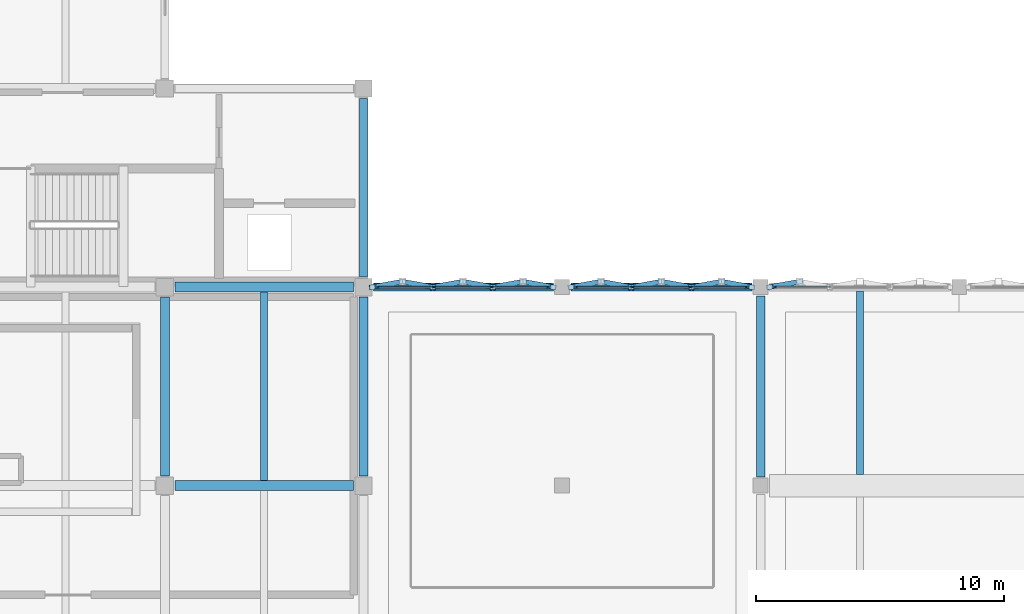
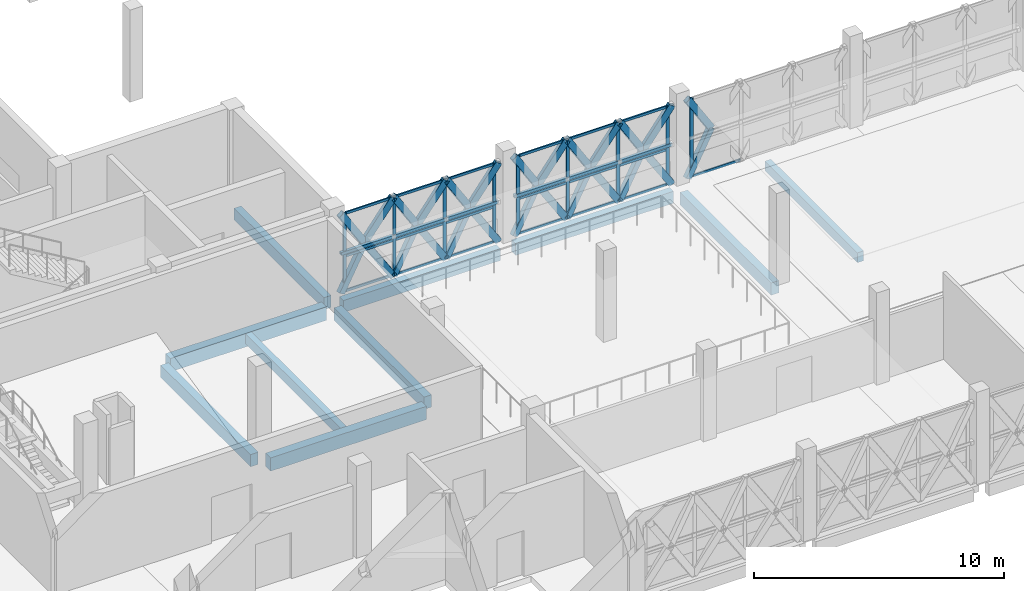
# One storey, part 12 of 43: 60 members, 10 beams, 3 elements without a shape of their own.
"""IFC4 building model written with IfcOpenShell, lengths in metres."""

from ifc_helpers import new_model, si_unit, direction, frame, origin, origin_2d, place, context, subcontext, project, spatial, rectangle, hollow_rectangle, extrude, material, layer, layer_set, material_profile, profile_set, type_object, element, aggregate, save


model = new_model("IFC4")

# Units and contexts
model_context = context("Model", 3, precision=1e-05, world=origin(), true_north=direction((0.0, 1.0)))
body_context = subcontext(model_context, "Body", "Model", "MODEL_VIEW")
ifc_project = project(units=[si_unit("LENGTHUNIT", "METRE"), si_unit("AREAUNIT", "SQUARE_METRE"), si_unit("VOLUMEUNIT", "CUBIC_METRE"), si_unit("PLANEANGLEUNIT", "RADIAN"), si_unit("MASSUNIT", "GRAM", prefix="KILO")], contexts=[model_context])

# Site, building, storey
site_placement = place(None, origin())
site = spatial("IfcSite", under=ifc_project, at=site_placement, CompositionType="ELEMENT")
building_placement = place(site_placement, origin())
building = spatial("IfcBuilding", under=site, at=building_placement, Name="Qorikala Patio Media Centre", CompositionType="ELEMENT")
storey_placement = place(building_placement, frame((0.0, 0.0, 18.89990234375)))
storey = spatial("IfcBuildingStorey", under=building, at=storey_placement, Name="L04", CompositionType="ELEMENT", Elevation=18.89990234375)

# Beams
ifc_material_1 = material(Name="Concrete C35/45", Category="concrete")
ifc_material_profile_1 = material_profile(ifc_material_1, rectangle(XDim=0.35009765625, YDim=0.60009765625, at=origin_2d()), Name="RC 350x600")
ifc_profile_set_1 = profile_set([ifc_material_profile_1], Name="Concrete C35/45")
beam_type_1 = type_object("IfcBeamType", Name="BM-G350X600", PredefinedType="BEAM", material=ifc_profile_set_1)
for number, where, z_axis, x_axis, name in (
    (1, (35.0, 19.39990234375, -0.599853515625), (0.0, 1.0, 0.0), (-1.0, 0.0, 0.0), "L04 Grid X=35 Beam 1418"),
    (2, (43.0, 19.39990234375, -0.599853515625), (0.0, 1.0, 0.0), (-1.0, 0.0, 0.0), "L04 Grid X=43 Beam 1426"),
):
    element("IfcBeam", number, at=place(storey_placement, frame(where, z_axis=z_axis, x_axis=x_axis)), inside=storey, type_object=beam_type_1, Name=name, PredefinedType="BEAM", context=body_context, shape_type="SweptSolid", body=[
        extrude(rectangle(XDim=0.35009765625, YDim=0.60009765625, at=origin_2d()), origin(), (0.0, 0.0, 1.0), 7.2001953125),
    ])
beam_1_placement = place(storey_placement, frame((59.0, 19.35009765625, -0.599853515625), z_axis=(0.0, 1.0, 0.0), x_axis=(-1.0, 0.0, 0.0)))
element("IfcBeam", 3, at=beam_1_placement, inside=storey, type_object=beam_type_1, Name="L04 Grid X=59 Beam 1431", PredefinedType="BEAM", context=body_context, shape_type="SweptSolid", body=[
    extrude(rectangle(XDim=0.35009765625, YDim=0.60009765625, at=origin_2d()), origin(), (0.0, 0.0, 1.0), 7.2998046875),
])
ifc_material_profile_2 = material_profile(ifc_material_1, rectangle(XDim=0.39990234375, YDim=0.64990234375, at=origin_2d()), Name="RC 400x650")
ifc_profile_set_2 = profile_set([ifc_material_profile_2], Name="Concrete C35/45")
beam_type_2 = type_object("IfcBeamType", Name="BM-G400X650", PredefinedType="BEAM", material=ifc_profile_set_2)
for number, where, z_axis, x_axis, name in (
    (4, (35.39990234375, 19.0, -0.625), (1.0, 0.0, 0.0), (0.0, 1.0, 0.0), "L04 Grid 19 Beam 1344"),
    (5, (35.39990234375, 27.0, -0.625), (1.0, 0.0, 0.0), (0.0, 1.0, 0.0), "L04 Grid 27 Beam 1353"),
):
    element("IfcBeam", number, at=place(storey_placement, frame(where, z_axis=z_axis, x_axis=x_axis)), inside=storey, type_object=beam_type_2, Name=name, PredefinedType="BEAM", context=body_context, shape_type="SweptSolid", body=[
        extrude(rectangle(XDim=0.39990234375, YDim=0.64990234375, at=origin_2d()), origin(), (0.0, 0.0, 1.0), 7.2001953125),
    ])

# Members
ifc_material_2 = material(Name="Golden Bronze Coated Steel S355", Category="steel")
ifc_material_profile_3 = material_profile(ifc_material_2, hollow_rectangle(XDim=0.139892578125, YDim=0.139892578125, WallThickness=0.006103515625, at=origin_2d()), Name="HSS140X140X6")
ifc_profile_set_3 = profile_set([ifc_material_profile_3], Name="Golden Bronze Coated Steel S355")
member_type_1 = type_object("IfcMemberType", Name="BRACE-DIA140", PredefinedType="BRACE", material=ifc_profile_set_3)
member_1_placement = place(storey_placement, frame((43.360107421875, 27.0, 1.925048828125), z_axis=(1.0, 0.0, 0.0), x_axis=(0.0, 1.0, 0.0)))
element("IfcMember", 6, at=member_1_placement, inside=storey, type_object=member_type_1, Name="L04 Diamond Fold Tie 142", PredefinedType="BRACE", context=body_context, shape_type="SweptSolid", body=[
    extrude(hollow_rectangle(XDim=0.139892578125, YDim=0.139892578125, WallThickness=0.006103515625, at=origin_2d()), origin(), (0.0, 0.0, 1.0), 2.426513671875),
])
member_2_placement = place(storey_placement, frame((45.78662109375, 27.0, 1.925048828125), z_axis=(1.0, 0.0, 0.0), x_axis=(0.0, 1.0, 0.0)))
element("IfcMember", 7, at=member_2_placement, inside=storey, type_object=member_type_1, Name="L04 Diamond Fold Tie 143", PredefinedType="BRACE", context=body_context, shape_type="SweptSolid", body=[
    extrude(hollow_rectangle(XDim=0.139892578125, YDim=0.139892578125, WallThickness=0.006103515625, at=origin_2d()), origin(), (0.0, 0.0, 1.0), 2.4267578125),
])
for number, where, z_axis, x_axis, name in (
    (8, (48.21337890625, 27.0, 1.925048828125), (1.0, 0.0, 0.0), (0.0, 1.0, 0.0), "L04 Diamond Fold Tie 144"),
    (9, (51.360107421875, 27.0, 1.925048828125), (1.0, 0.0, 0.0), (0.0, 1.0, 0.0), "L04 Diamond Fold Tie 145"),
):
    element("IfcMember", number, at=place(storey_placement, frame(where, z_axis=z_axis, x_axis=x_axis)), inside=storey, type_object=member_type_1, Name=name, PredefinedType="BRACE", context=body_context, shape_type="SweptSolid", body=[
        extrude(hollow_rectangle(XDim=0.139892578125, YDim=0.139892578125, WallThickness=0.006103515625, at=origin_2d()), origin(), (0.0, 0.0, 1.0), 2.426513671875),
    ])
member_3_placement = place(storey_placement, frame((53.78662109375, 27.0, 1.925048828125), z_axis=(1.0, 0.0, 0.0), x_axis=(0.0, 1.0, 0.0)))
element("IfcMember", 10, at=member_3_placement, inside=storey, type_object=member_type_1, Name="L04 Diamond Fold Tie 146", PredefinedType="BRACE", context=body_context, shape_type="SweptSolid", body=[
    extrude(hollow_rectangle(XDim=0.139892578125, YDim=0.139892578125, WallThickness=0.006103515625, at=origin_2d()), origin(), (0.0, 0.0, 1.0), 2.4267578125),
])
member_4_placement = place(storey_placement, frame((56.21337890625, 27.0, 1.925048828125), z_axis=(1.0, 0.0, 0.0), x_axis=(0.0, 1.0, 0.0)))
element("IfcMember", 11, at=member_4_placement, inside=storey, type_object=member_type_1, Name="L04 Diamond Fold Tie 147", PredefinedType="BRACE", context=body_context, shape_type="SweptSolid", body=[
    extrude(hollow_rectangle(XDim=0.139892578125, YDim=0.139892578125, WallThickness=0.006103515625, at=origin_2d()), origin(), (0.0, 0.0, 1.0), 2.426513671875),
])

# Curtain wall, members
ifc_material_3 = material(Name="Golden Bronze Anodised Aluminium and Low-E Glass", Category="aluminium")
ifc_layer = layer(ifc_material_3, 0.159912109375)
ifc_layer_set = layer_set([ifc_layer], Name="Golden Bronze Anodised Aluminium and Low-E Glass")
curtain_wall_type = type_object("IfcCurtainWallType", Name="CW-DIA-696X385", PredefinedType="USERDEFINED", material=ifc_layer_set)
curtain_wall_1_placement = place(storey_placement, origin())
curtain_wall_1 = element("IfcCurtainWall", 12, at=curtain_wall_1_placement, inside=storey, type_object=curtain_wall_type, Name="L04 Courtyard Curtain Wall 089", ObjectType="COURTYARD CURTAIN WALL", PredefinedType="USERDEFINED")
ifc_material_4 = material(Name="Golden Bronze Anodised Aluminium", Category="aluminium")
ifc_material_profile_4 = material_profile(ifc_material_4, rectangle(XDim=0.06494140625, YDim=0.14990234375, at=origin_2d()), Name="ALU MULLION 65x150")
ifc_profile_set_4 = profile_set([ifc_material_profile_4], Name="Golden Bronze Anodised Aluminium")
member_type_2 = type_object("IfcMemberType", Name="CWM-65X150", PredefinedType="MULLION", material=ifc_profile_set_4)
member_5_placement = place(storey_placement, frame((43.552490234375, 27.0, 0.0), z_axis=(0.0, 0.0, 1.0), x_axis=(0.0, 1.0, 0.0)))
member_5 = element("IfcMember", 13, at=member_5_placement, type_object=member_type_2, Name="CWD696385 mullion 1", PredefinedType="MULLION", context=body_context, shape_type="SweptSolid", body=[
    extrude(rectangle(XDim=0.06494140625, YDim=0.14990234375, at=origin_2d()), origin(), (0.0, 0.0, 1.0), 3.85009765625),
])
member_6_placement = place(storey_placement, frame((45.840087890625, 27.0, 0.0), z_axis=(0.0, 0.0, 1.0), x_axis=(0.0, 1.0, 0.0)))
member_6 = element("IfcMember", 14, at=member_6_placement, type_object=member_type_2, Name="CWD696385 mullion 2", PredefinedType="MULLION", context=body_context, shape_type="SweptSolid", body=[
    extrude(rectangle(XDim=0.06494140625, YDim=0.14990234375, at=origin_2d()), origin(), (0.0, 0.0, 1.0), 3.85009765625),
])
member_7_placement = place(storey_placement, frame((48.159912109375, 27.0, 0.0), z_axis=(0.0, 0.0, 1.0), x_axis=(0.0, 1.0, 0.0)))
member_7 = element("IfcMember", 15, at=member_7_placement, type_object=member_type_2, Name="CWD696385 mullion 3", PredefinedType="MULLION", context=body_context, shape_type="SweptSolid", body=[
    extrude(rectangle(XDim=0.06494140625, YDim=0.14990234375, at=origin_2d()), origin(), (0.0, 0.0, 1.0), 3.85009765625),
])
member_8_placement = place(storey_placement, frame((50.447509765625, 27.0, 0.0), z_axis=(0.0, 0.0, 1.0), x_axis=(0.0, 1.0, 0.0)))
member_8 = element("IfcMember", 16, at=member_8_placement, type_object=member_type_2, Name="CWD696385 mullion 4", PredefinedType="MULLION", context=body_context, shape_type="SweptSolid", body=[
    extrude(rectangle(XDim=0.06494140625, YDim=0.14990234375, at=origin_2d()), origin(), (0.0, 0.0, 1.0), 3.85009765625),
])

curtain_wall_2_placement = place(storey_placement, origin())
curtain_wall_2 = element("IfcCurtainWall", 17, at=curtain_wall_2_placement, inside=storey, type_object=curtain_wall_type, Name="L04 Courtyard Curtain Wall 090", ObjectType="COURTYARD CURTAIN WALL", PredefinedType="USERDEFINED")
member_9_placement = place(storey_placement, frame((51.552490234375, 27.0, 0.0), z_axis=(0.0, 0.0, 1.0), x_axis=(0.0, 1.0, 0.0)))
member_9 = element("IfcMember", 18, at=member_9_placement, type_object=member_type_2, Name="CWD696385 mullion 1", PredefinedType="MULLION", context=body_context, shape_type="SweptSolid", body=[
    extrude(rectangle(XDim=0.06494140625, YDim=0.14990234375, at=origin_2d()), origin(), (0.0, 0.0, 1.0), 3.85009765625),
])
member_10_placement = place(storey_placement, frame((53.840087890625, 27.0, 0.0), z_axis=(0.0, 0.0, 1.0), x_axis=(0.0, 1.0, 0.0)))
member_10 = element("IfcMember", 19, at=member_10_placement, type_object=member_type_2, Name="CWD696385 mullion 2", PredefinedType="MULLION", context=body_context, shape_type="SweptSolid", body=[
    extrude(rectangle(XDim=0.06494140625, YDim=0.14990234375, at=origin_2d()), origin(), (0.0, 0.0, 1.0), 3.85009765625),
])
member_11_placement = place(storey_placement, frame((56.159912109375, 27.0, 0.0), z_axis=(0.0, 0.0, 1.0), x_axis=(0.0, 1.0, 0.0)))
member_11 = element("IfcMember", 20, at=member_11_placement, type_object=member_type_2, Name="CWD696385 mullion 3", PredefinedType="MULLION", context=body_context, shape_type="SweptSolid", body=[
    extrude(rectangle(XDim=0.06494140625, YDim=0.14990234375, at=origin_2d()), origin(), (0.0, 0.0, 1.0), 3.85009765625),
])
member_12_placement = place(storey_placement, frame((58.447509765625, 27.0, 0.0), z_axis=(0.0, 0.0, 1.0), x_axis=(0.0, 1.0, 0.0)))
member_12 = element("IfcMember", 21, at=member_12_placement, type_object=member_type_2, Name="CWD696385 mullion 4", PredefinedType="MULLION", context=body_context, shape_type="SweptSolid", body=[
    extrude(rectangle(XDim=0.06494140625, YDim=0.14990234375, at=origin_2d()), origin(), (0.0, 0.0, 1.0), 3.85009765625),
])

# Curtain wall, member
curtain_wall_3_placement = place(storey_placement, origin())
curtain_wall_3 = element("IfcCurtainWall", 22, at=curtain_wall_3_placement, inside=storey, type_object=curtain_wall_type, Name="L04 Courtyard Curtain Wall 091", ObjectType="COURTYARD CURTAIN WALL", PredefinedType="USERDEFINED")
member_13_placement = place(storey_placement, frame((59.552490234375, 27.0, 0.0), z_axis=(0.0, 0.0, 1.0), x_axis=(0.0, 1.0, 0.0)))
member_13 = element("IfcMember", 23, at=member_13_placement, type_object=member_type_2, Name="CWD696385 mullion 1", PredefinedType="MULLION", context=body_context, shape_type="SweptSolid", body=[
    extrude(rectangle(XDim=0.06494140625, YDim=0.14990234375, at=origin_2d()), origin(), (0.0, 0.0, 1.0), 3.85009765625),
])

# Member
ifc_material_profile_5 = material_profile(ifc_material_4, rectangle(XDim=0.06494140625, YDim=0.1201171875, at=origin_2d()), Name="ALU TRANSOM 65x120")
ifc_profile_set_5 = profile_set([ifc_material_profile_5], Name="Golden Bronze Anodised Aluminium")
member_type_3 = type_object("IfcMemberType", Name="CWT-65X120", PredefinedType="USERDEFINED", material=ifc_profile_set_5)
member_14_placement = place(storey_placement, frame((43.5849609375, 27.0, 0.03271484375), z_axis=(1.0, 0.0, 0.0), x_axis=(0.0, 1.0, 0.0)))
member_14 = element("IfcMember", 24, at=member_14_placement, type_object=member_type_3, Name="CWD696385 transom 1.1", ObjectType="TRANSOM", PredefinedType="USERDEFINED", context=body_context, shape_type="SweptSolid", body=[
    extrude(rectangle(XDim=0.06494140625, YDim=0.1201171875, at=origin_2d()), origin(), (0.0, 0.0, 1.0), 2.22265625),
])

member_15_placement = place(storey_placement, frame((43.5849609375, 27.0, 1.732666015625), z_axis=(1.0, 0.0, 0.0), x_axis=(0.0, 1.0, 0.0)))
member_15 = element("IfcMember", 25, at=member_15_placement, type_object=member_type_3, Name="CWD696385 transom 1.2", ObjectType="TRANSOM", PredefinedType="USERDEFINED", context=body_context, shape_type="SweptSolid", body=[
    extrude(rectangle(XDim=0.06494140625, YDim=0.1201171875, at=origin_2d()), origin(), (0.0, 0.0, 1.0), 2.22265625),
])

member_16_placement = place(storey_placement, frame((43.5849609375, 27.0, 3.817626953125), z_axis=(1.0, 0.0, 0.0), x_axis=(0.0, 1.0, 0.0)))
member_16 = element("IfcMember", 26, at=member_16_placement, type_object=member_type_3, Name="CWD696385 transom 1.3", ObjectType="TRANSOM", PredefinedType="USERDEFINED", context=body_context, shape_type="SweptSolid", body=[
    extrude(rectangle(XDim=0.06494140625, YDim=0.1201171875, at=origin_2d()), origin(), (0.0, 0.0, 1.0), 2.22265625),
])

member_17_placement = place(storey_placement, frame((45.87255859375, 27.0, 0.03271484375), z_axis=(1.0, 0.0, 0.0), x_axis=(0.0, 1.0, 0.0)))
member_17 = element("IfcMember", 27, at=member_17_placement, type_object=member_type_3, Name="CWD696385 transom 2.1", ObjectType="TRANSOM", PredefinedType="USERDEFINED", context=body_context, shape_type="SweptSolid", body=[
    extrude(rectangle(XDim=0.06494140625, YDim=0.1201171875, at=origin_2d()), origin(), (0.0, 0.0, 1.0), 2.2548828125),
])

member_18_placement = place(storey_placement, frame((45.87255859375, 27.0, 1.732666015625), z_axis=(1.0, 0.0, 0.0), x_axis=(0.0, 1.0, 0.0)))
member_18 = element("IfcMember", 28, at=member_18_placement, type_object=member_type_3, Name="CWD696385 transom 2.2", ObjectType="TRANSOM", PredefinedType="USERDEFINED", context=body_context, shape_type="SweptSolid", body=[
    extrude(rectangle(XDim=0.06494140625, YDim=0.1201171875, at=origin_2d()), origin(), (0.0, 0.0, 1.0), 2.2548828125),
])

member_19_placement = place(storey_placement, frame((45.87255859375, 27.0, 3.817626953125), z_axis=(1.0, 0.0, 0.0), x_axis=(0.0, 1.0, 0.0)))
member_19 = element("IfcMember", 29, at=member_19_placement, type_object=member_type_3, Name="CWD696385 transom 2.3", ObjectType="TRANSOM", PredefinedType="USERDEFINED", context=body_context, shape_type="SweptSolid", body=[
    extrude(rectangle(XDim=0.06494140625, YDim=0.1201171875, at=origin_2d()), origin(), (0.0, 0.0, 1.0), 2.2548828125),
])

member_20_placement = place(storey_placement, frame((48.1923828125, 27.0, 0.03271484375), z_axis=(1.0, 0.0, 0.0), x_axis=(0.0, 1.0, 0.0)))
member_20 = element("IfcMember", 30, at=member_20_placement, type_object=member_type_3, Name="CWD696385 transom 3.1", ObjectType="TRANSOM", PredefinedType="USERDEFINED", context=body_context, shape_type="SweptSolid", body=[
    extrude(rectangle(XDim=0.06494140625, YDim=0.1201171875, at=origin_2d()), origin(), (0.0, 0.0, 1.0), 2.22265625),
])

member_21_placement = place(storey_placement, frame((48.1923828125, 27.0, 1.732666015625), z_axis=(1.0, 0.0, 0.0), x_axis=(0.0, 1.0, 0.0)))
member_21 = element("IfcMember", 31, at=member_21_placement, type_object=member_type_3, Name="CWD696385 transom 3.2", ObjectType="TRANSOM", PredefinedType="USERDEFINED", context=body_context, shape_type="SweptSolid", body=[
    extrude(rectangle(XDim=0.06494140625, YDim=0.1201171875, at=origin_2d()), origin(), (0.0, 0.0, 1.0), 2.22265625),
])

member_22_placement = place(storey_placement, frame((48.1923828125, 27.0, 3.817626953125), z_axis=(1.0, 0.0, 0.0), x_axis=(0.0, 1.0, 0.0)))
member_22 = element("IfcMember", 32, at=member_22_placement, type_object=member_type_3, Name="CWD696385 transom 3.3", ObjectType="TRANSOM", PredefinedType="USERDEFINED", context=body_context, shape_type="SweptSolid", body=[
    extrude(rectangle(XDim=0.06494140625, YDim=0.1201171875, at=origin_2d()), origin(), (0.0, 0.0, 1.0), 2.22265625),
])

aggregate(curtain_wall_1, [member_5, member_6, member_7, member_8, member_14, member_15, member_16, member_17, member_18, member_19, member_20, member_21, member_22])

member_23_placement = place(storey_placement, frame((51.5849609375, 27.0, 0.03271484375), z_axis=(1.0, 0.0, 0.0), x_axis=(0.0, 1.0, 0.0)))
member_23 = element("IfcMember", 33, at=member_23_placement, type_object=member_type_3, Name="CWD696385 transom 1.1", ObjectType="TRANSOM", PredefinedType="USERDEFINED", context=body_context, shape_type="SweptSolid", body=[
    extrude(rectangle(XDim=0.06494140625, YDim=0.1201171875, at=origin_2d()), origin(), (0.0, 0.0, 1.0), 2.22265625),
])

member_24_placement = place(storey_placement, frame((51.5849609375, 27.0, 1.732666015625), z_axis=(1.0, 0.0, 0.0), x_axis=(0.0, 1.0, 0.0)))
member_24 = element("IfcMember", 34, at=member_24_placement, type_object=member_type_3, Name="CWD696385 transom 1.2", ObjectType="TRANSOM", PredefinedType="USERDEFINED", context=body_context, shape_type="SweptSolid", body=[
    extrude(rectangle(XDim=0.06494140625, YDim=0.1201171875, at=origin_2d()), origin(), (0.0, 0.0, 1.0), 2.22265625),
])

member_25_placement = place(storey_placement, frame((51.5849609375, 27.0, 3.817626953125), z_axis=(1.0, 0.0, 0.0), x_axis=(0.0, 1.0, 0.0)))
member_25 = element("IfcMember", 35, at=member_25_placement, type_object=member_type_3, Name="CWD696385 transom 1.3", ObjectType="TRANSOM", PredefinedType="USERDEFINED", context=body_context, shape_type="SweptSolid", body=[
    extrude(rectangle(XDim=0.06494140625, YDim=0.1201171875, at=origin_2d()), origin(), (0.0, 0.0, 1.0), 2.22265625),
])

member_26_placement = place(storey_placement, frame((53.87255859375, 27.0, 0.03271484375), z_axis=(1.0, 0.0, 0.0), x_axis=(0.0, 1.0, 0.0)))
member_26 = element("IfcMember", 36, at=member_26_placement, type_object=member_type_3, Name="CWD696385 transom 2.1", ObjectType="TRANSOM", PredefinedType="USERDEFINED", context=body_context, shape_type="SweptSolid", body=[
    extrude(rectangle(XDim=0.06494140625, YDim=0.1201171875, at=origin_2d()), origin(), (0.0, 0.0, 1.0), 2.2548828125),
])

member_27_placement = place(storey_placement, frame((53.87255859375, 27.0, 1.732666015625), z_axis=(1.0, 0.0, 0.0), x_axis=(0.0, 1.0, 0.0)))
member_27 = element("IfcMember", 37, at=member_27_placement, type_object=member_type_3, Name="CWD696385 transom 2.2", ObjectType="TRANSOM", PredefinedType="USERDEFINED", context=body_context, shape_type="SweptSolid", body=[
    extrude(rectangle(XDim=0.06494140625, YDim=0.1201171875, at=origin_2d()), origin(), (0.0, 0.0, 1.0), 2.2548828125),
])

member_28_placement = place(storey_placement, frame((53.87255859375, 27.0, 3.817626953125), z_axis=(1.0, 0.0, 0.0), x_axis=(0.0, 1.0, 0.0)))
member_28 = element("IfcMember", 38, at=member_28_placement, type_object=member_type_3, Name="CWD696385 transom 2.3", ObjectType="TRANSOM", PredefinedType="USERDEFINED", context=body_context, shape_type="SweptSolid", body=[
    extrude(rectangle(XDim=0.06494140625, YDim=0.1201171875, at=origin_2d()), origin(), (0.0, 0.0, 1.0), 2.2548828125),
])

member_29_placement = place(storey_placement, frame((56.1923828125, 27.0, 0.03271484375), z_axis=(1.0, 0.0, 0.0), x_axis=(0.0, 1.0, 0.0)))
member_29 = element("IfcMember", 39, at=member_29_placement, type_object=member_type_3, Name="CWD696385 transom 3.1", ObjectType="TRANSOM", PredefinedType="USERDEFINED", context=body_context, shape_type="SweptSolid", body=[
    extrude(rectangle(XDim=0.06494140625, YDim=0.1201171875, at=origin_2d()), origin(), (0.0, 0.0, 1.0), 2.22265625),
])

member_30_placement = place(storey_placement, frame((56.1923828125, 27.0, 1.732666015625), z_axis=(1.0, 0.0, 0.0), x_axis=(0.0, 1.0, 0.0)))
member_30 = element("IfcMember", 40, at=member_30_placement, type_object=member_type_3, Name="CWD696385 transom 3.2", ObjectType="TRANSOM", PredefinedType="USERDEFINED", context=body_context, shape_type="SweptSolid", body=[
    extrude(rectangle(XDim=0.06494140625, YDim=0.1201171875, at=origin_2d()), origin(), (0.0, 0.0, 1.0), 2.22265625),
])

member_31_placement = place(storey_placement, frame((56.1923828125, 27.0, 3.817626953125), z_axis=(1.0, 0.0, 0.0), x_axis=(0.0, 1.0, 0.0)))
member_31 = element("IfcMember", 41, at=member_31_placement, type_object=member_type_3, Name="CWD696385 transom 3.3", ObjectType="TRANSOM", PredefinedType="USERDEFINED", context=body_context, shape_type="SweptSolid", body=[
    extrude(rectangle(XDim=0.06494140625, YDim=0.1201171875, at=origin_2d()), origin(), (0.0, 0.0, 1.0), 2.22265625),
])

aggregate(curtain_wall_2, [member_9, member_10, member_11, member_12, member_23, member_24, member_25, member_26, member_27, member_28, member_29, member_30, member_31])

member_32_placement = place(storey_placement, frame((59.5849609375, 27.0, 0.03271484375), z_axis=(1.0, 0.0, 0.0), x_axis=(0.0, 1.0, 0.0)))
member_32 = element("IfcMember", 42, at=member_32_placement, type_object=member_type_3, Name="CWD696385 transom 1.1", ObjectType="TRANSOM", PredefinedType="USERDEFINED", context=body_context, shape_type="SweptSolid", body=[
    extrude(rectangle(XDim=0.06494140625, YDim=0.1201171875, at=origin_2d()), origin(), (0.0, 0.0, 1.0), 2.22265625),
])

aggregate(curtain_wall_3, [member_13, member_32])

# Beams
ifc_material_profile_6 = material_profile(ifc_material_1, rectangle(XDim=0.280029296875, YDim=0.47998046875, at=origin_2d()), Name="RC 280x480")
ifc_profile_set_6 = profile_set([ifc_material_profile_6], Name="Concrete C35/45")
beam_type_3 = type_object("IfcBeamType", Name="JS-280X480", PredefinedType="JOIST", material=ifc_profile_set_6)
beam_2_placement = place(storey_placement, frame((39.0, 19.199951171875, -0.539794921875), z_axis=(0.0, 1.0, 0.0), x_axis=(-1.0, 0.0, 0.0)))
element("IfcBeam", 43, at=beam_2_placement, inside=storey, type_object=beam_type_3, Name="L04 Secondary Joist 1470", PredefinedType="JOIST", context=body_context, shape_type="SweptSolid", body=[
    extrude(rectangle(XDim=0.280029296875, YDim=0.47998046875, at=origin_2d()), origin(), (0.0, 0.0, 1.0), 7.60009765625),
])
beam_3_placement = place(storey_placement, frame((63.0, 19.449951171875, -0.539794921875), z_axis=(0.0, 1.0, 0.0), x_axis=(-1.0, 0.0, 0.0)))
element("IfcBeam", 44, at=beam_3_placement, inside=storey, type_object=beam_type_3, Name="L04 Secondary Joist 1475", PredefinedType="JOIST", context=body_context, shape_type="SweptSolid", body=[
    extrude(rectangle(XDim=0.280029296875, YDim=0.47998046875, at=origin_2d()), origin(), (0.0, 0.0, 1.0), 7.39013671875),
])
ifc_material_profile_7 = material_profile(ifc_material_1, rectangle(XDim=0.320068359375, YDim=0.580078125, at=origin_2d()), Name="RC 320x580")
ifc_profile_set_7 = profile_set([ifc_material_profile_7], Name="Concrete C35/45")
beam_type_4 = type_object("IfcBeamType", Name="SP-320X580", PredefinedType="SPANDREL", material=ifc_profile_set_7)
beam_4_placement = place(storey_placement, frame((43.39990234375, 27.0, -0.58984375), z_axis=(1.0, 0.0, 0.0), x_axis=(0.0, 1.0, 0.0)))
element("IfcBeam", 45, at=beam_4_placement, inside=storey, type_object=beam_type_4, Name="L04 Grid 27 Beam 1354", PredefinedType="SPANDREL", context=body_context, shape_type="SweptSolid", body=[
    extrude(rectangle(XDim=0.320068359375, YDim=0.580078125, at=origin_2d()), origin(), (0.0, 0.0, 1.0), 7.25),
])
beam_5_placement = place(storey_placement, frame((51.35009765625, 27.0, -0.58984375), z_axis=(1.0, 0.0, 0.0), x_axis=(0.0, 1.0, 0.0)))
element("IfcBeam", 46, at=beam_5_placement, inside=storey, type_object=beam_type_4, Name="L04 Grid 27 Beam 1355", PredefinedType="SPANDREL", context=body_context, shape_type="SweptSolid", body=[
    extrude(rectangle(XDim=0.320068359375, YDim=0.580078125, at=origin_2d()), origin(), (0.0, 0.0, 1.0), 7.2998046875),
])
beam_6_placement = place(storey_placement, frame((43.0, 27.39990234375, -0.58984375), z_axis=(0.0, 1.0, 0.0), x_axis=(-1.0, 0.0, 0.0)))
element("IfcBeam", 47, at=beam_6_placement, inside=storey, type_object=beam_type_4, Name="L04 Grid X=43 Beam 1427", PredefinedType="SPANDREL", context=body_context, shape_type="SweptSolid", body=[
    extrude(rectangle(XDim=0.320068359375, YDim=0.580078125, at=origin_2d()), origin(), (0.0, 0.0, 1.0), 7.2001953125),
])

# Members
ifc_material_profile_8 = material_profile(ifc_material_2, hollow_rectangle(XDim=0.199951171875, YDim=0.300048828125, WallThickness=0.011962890625, at=origin_2d()), Name="HSS300X200X12")
ifc_profile_set_8 = profile_set([ifc_material_profile_8], Name="Golden Bronze Coated Steel S355")
member_type_4 = type_object("IfcMemberType", Name="STRUT-DIA300", PredefinedType="STRUT", material=ifc_profile_set_8)
member_33_placement = place(storey_placement, frame((43.360107421875, 27.0, 0.0), z_axis=(0.530691378365, 0.095906793675, 0.842121456713), x_axis=(-0.17783968734, 0.984059472596, 0.0)))
element("IfcMember", 48, at=member_33_placement, inside=storey, type_object=member_type_4, Name="L04 Diamond Foyer Fold Strut 142-DL1", PredefinedType="STRUT", context=body_context, shape_type="SweptSolid", body=[
    extrude(hollow_rectangle(XDim=0.199951171875, YDim=0.300048828125, WallThickness=0.011962890625, at=origin_2d()), origin(), (0.0, 0.0, 1.0), 2.285888671875),
])
member_34_placement = place(storey_placement, frame((45.78662109375, 27.0, 0.0), z_axis=(-0.530768093717, 0.095901357778, 0.842073726148), x_axis=(-0.177805036072, -0.98406573416, 0.0)))
element("IfcMember", 49, at=member_34_placement, inside=storey, type_object=member_type_4, Name="L04 Diamond Foyer Fold Strut 142-DL2", PredefinedType="STRUT", context=body_context, shape_type="SweptSolid", body=[
    extrude(hollow_rectangle(XDim=0.199951171875, YDim=0.300048828125, WallThickness=0.011962890625, at=origin_2d()), origin(), (0.0, 0.0, 1.0), 2.2861328125),
])
member_35_placement = place(storey_placement, frame((44.5732421875, 27.21923828125, 1.925048828125), z_axis=(-0.530691378365, -0.095906793675, 0.842121456713), x_axis=(0.17783968734, -0.984059472596, 0.0)))
element("IfcMember", 50, at=member_35_placement, inside=storey, type_object=member_type_4, Name="L04 Diamond Foyer Fold Strut 142-DU1", PredefinedType="STRUT", context=body_context, shape_type="SweptSolid", body=[
    extrude(hollow_rectangle(XDim=0.199951171875, YDim=0.300048828125, WallThickness=0.011962890625, at=origin_2d()), origin(), (0.0, 0.0, 1.0), 2.285888671875),
])
for number, where, z_axis, x_axis, name in (
    (51, (44.5732421875, 27.21923828125, 1.925048828125), (0.530768093717, -0.095901357778, 0.842073726148), (0.177805036072, 0.98406573416, 0.0), "L04 Diamond Foyer Fold Strut 142-DU2"),
    (52, (45.78662109375, 27.0, 0.0), (0.530768093717, 0.095901357778, 0.842073726148), (-0.177805036072, 0.98406573416, 0.0), "L04 Diamond Foyer Fold Strut 143-DL1"),
    (53, (48.21337890625, 27.0, 0.0), (-0.530768093717, 0.095901357778, 0.842073726148), (-0.177805036072, -0.98406573416, 0.0), "L04 Diamond Foyer Fold Strut 143-DL2"),
    (54, (47.0, 27.21923828125, 1.925048828125), (-0.530768093717, -0.095901357778, 0.842073726148), (0.177805036072, -0.98406573416, 0.0), "L04 Diamond Foyer Fold Strut 143-DU1"),
    (55, (47.0, 27.21923828125, 1.925048828125), (0.530768093717, -0.095901357778, 0.842073726148), (0.177805036072, 0.98406573416, 0.0), "L04 Diamond Foyer Fold Strut 143-DU2"),
    (56, (48.21337890625, 27.0, 0.0), (0.530768093717, 0.095901357778, 0.842073726148), (-0.177805036072, 0.98406573416, 0.0), "L04 Diamond Foyer Fold Strut 144-DL1"),
):
    element("IfcMember", number, at=place(storey_placement, frame(where, z_axis=z_axis, x_axis=x_axis)), inside=storey, type_object=member_type_4, Name=name, PredefinedType="STRUT", context=body_context, shape_type="SweptSolid", body=[
        extrude(hollow_rectangle(XDim=0.199951171875, YDim=0.300048828125, WallThickness=0.011962890625, at=origin_2d()), origin(), (0.0, 0.0, 1.0), 2.2861328125),
    ])
member_36_placement = place(storey_placement, frame((50.639892578125, 27.0, 0.0), z_axis=(-0.530691378365, 0.095906793675, 0.842121456713), x_axis=(-0.17783968734, -0.984059472596, 0.0)))
element("IfcMember", 57, at=member_36_placement, inside=storey, type_object=member_type_4, Name="L04 Diamond Foyer Fold Strut 144-DL2", PredefinedType="STRUT", context=body_context, shape_type="SweptSolid", body=[
    extrude(hollow_rectangle(XDim=0.199951171875, YDim=0.300048828125, WallThickness=0.011962890625, at=origin_2d()), origin(), (0.0, 0.0, 1.0), 2.285888671875),
])
member_37_placement = place(storey_placement, frame((49.4267578125, 27.21923828125, 1.925048828125), z_axis=(-0.530768093717, -0.095901357778, 0.842073726148), x_axis=(0.177805036072, -0.98406573416, 0.0)))
element("IfcMember", 58, at=member_37_placement, inside=storey, type_object=member_type_4, Name="L04 Diamond Foyer Fold Strut 144-DU1", PredefinedType="STRUT", context=body_context, shape_type="SweptSolid", body=[
    extrude(hollow_rectangle(XDim=0.199951171875, YDim=0.300048828125, WallThickness=0.011962890625, at=origin_2d()), origin(), (0.0, 0.0, 1.0), 2.2861328125),
])
for number, where, z_axis, x_axis, name in (
    (59, (49.4267578125, 27.21923828125, 1.925048828125), (0.530691378365, -0.095906793675, 0.842121456713), (0.17783968734, 0.984059472596, 0.0), "L04 Diamond Foyer Fold Strut 144-DU2"),
    (60, (51.360107421875, 27.0, 0.0), (0.530691378365, 0.095906793675, 0.842121456713), (-0.17783968734, 0.984059472596, 0.0), "L04 Diamond Foyer Fold Strut 145-DL1"),
):
    element("IfcMember", number, at=place(storey_placement, frame(where, z_axis=z_axis, x_axis=x_axis)), inside=storey, type_object=member_type_4, Name=name, PredefinedType="STRUT", context=body_context, shape_type="SweptSolid", body=[
        extrude(hollow_rectangle(XDim=0.199951171875, YDim=0.300048828125, WallThickness=0.011962890625, at=origin_2d()), origin(), (0.0, 0.0, 1.0), 2.285888671875),
    ])
member_38_placement = place(storey_placement, frame((53.78662109375, 27.0, 0.0), z_axis=(-0.530768093717, 0.095901357778, 0.842073726148), x_axis=(-0.177805036072, -0.98406573416, 0.0)))
element("IfcMember", 61, at=member_38_placement, inside=storey, type_object=member_type_4, Name="L04 Diamond Foyer Fold Strut 145-DL2", PredefinedType="STRUT", context=body_context, shape_type="SweptSolid", body=[
    extrude(hollow_rectangle(XDim=0.199951171875, YDim=0.300048828125, WallThickness=0.011962890625, at=origin_2d()), origin(), (0.0, 0.0, 1.0), 2.2861328125),
])
member_39_placement = place(storey_placement, frame((52.5732421875, 27.21923828125, 1.925048828125), z_axis=(-0.530691378365, -0.095906793675, 0.842121456713), x_axis=(0.17783968734, -0.984059472596, 0.0)))
element("IfcMember", 62, at=member_39_placement, inside=storey, type_object=member_type_4, Name="L04 Diamond Foyer Fold Strut 145-DU1", PredefinedType="STRUT", context=body_context, shape_type="SweptSolid", body=[
    extrude(hollow_rectangle(XDim=0.199951171875, YDim=0.300048828125, WallThickness=0.011962890625, at=origin_2d()), origin(), (0.0, 0.0, 1.0), 2.285888671875),
])
for number, where, z_axis, x_axis, name in (
    (63, (52.5732421875, 27.21923828125, 1.925048828125), (0.530768093717, -0.095901357778, 0.842073726148), (0.177805036072, 0.98406573416, 0.0), "L04 Diamond Foyer Fold Strut 145-DU2"),
    (64, (53.78662109375, 27.0, 0.0), (0.530768093717, 0.095901357778, 0.842073726148), (-0.177805036072, 0.98406573416, 0.0), "L04 Diamond Foyer Fold Strut 146-DL1"),
    (65, (56.21337890625, 27.0, 0.0), (-0.530768093717, 0.095901357778, 0.842073726148), (-0.177805036072, -0.98406573416, 0.0), "L04 Diamond Foyer Fold Strut 146-DL2"),
    (66, (55.0, 27.21923828125, 1.925048828125), (-0.530768093717, -0.095901357778, 0.842073726148), (0.177805036072, -0.98406573416, 0.0), "L04 Diamond Foyer Fold Strut 146-DU1"),
    (67, (55.0, 27.21923828125, 1.925048828125), (0.530768093717, -0.095901357778, 0.842073726148), (0.177805036072, 0.98406573416, 0.0), "L04 Diamond Foyer Fold Strut 146-DU2"),
    (68, (56.21337890625, 27.0, 0.0), (0.530768093717, 0.095901357778, 0.842073726148), (-0.177805036072, 0.98406573416, 0.0), "L04 Diamond Foyer Fold Strut 147-DL1"),
):
    element("IfcMember", number, at=place(storey_placement, frame(where, z_axis=z_axis, x_axis=x_axis)), inside=storey, type_object=member_type_4, Name=name, PredefinedType="STRUT", context=body_context, shape_type="SweptSolid", body=[
        extrude(hollow_rectangle(XDim=0.199951171875, YDim=0.300048828125, WallThickness=0.011962890625, at=origin_2d()), origin(), (0.0, 0.0, 1.0), 2.2861328125),
    ])
member_40_placement = place(storey_placement, frame((58.639892578125, 27.0, 0.0), z_axis=(-0.530691378365, 0.095906793675, 0.842121456713), x_axis=(-0.17783968734, -0.984059472596, 0.0)))
element("IfcMember", 69, at=member_40_placement, inside=storey, type_object=member_type_4, Name="L04 Diamond Foyer Fold Strut 147-DL2", PredefinedType="STRUT", context=body_context, shape_type="SweptSolid", body=[
    extrude(hollow_rectangle(XDim=0.199951171875, YDim=0.300048828125, WallThickness=0.011962890625, at=origin_2d()), origin(), (0.0, 0.0, 1.0), 2.285888671875),
])
member_41_placement = place(storey_placement, frame((57.4267578125, 27.21923828125, 1.925048828125), z_axis=(-0.530768093717, -0.095901357778, 0.842073726148), x_axis=(0.177805036072, -0.98406573416, 0.0)))
element("IfcMember", 70, at=member_41_placement, inside=storey, type_object=member_type_4, Name="L04 Diamond Foyer Fold Strut 147-DU1", PredefinedType="STRUT", context=body_context, shape_type="SweptSolid", body=[
    extrude(hollow_rectangle(XDim=0.199951171875, YDim=0.300048828125, WallThickness=0.011962890625, at=origin_2d()), origin(), (0.0, 0.0, 1.0), 2.2861328125),
])
for number, where, z_axis, x_axis, name in (
    (71, (57.4267578125, 27.21923828125, 1.925048828125), (0.530691378365, -0.095906793675, 0.842121456713), (0.17783968734, 0.984059472596, 0.0), "L04 Diamond Foyer Fold Strut 147-DU2"),
    (72, (59.360107421875, 27.0, 0.0), (0.530691378365, 0.095906793675, 0.842121456713), (-0.17783968734, 0.984059472596, 0.0), "L04 Diamond Foyer Fold Strut 148-DL1"),
    (73, (60.5732421875, 27.21923828125, 1.925048828125), (-0.530691378365, -0.095906793675, 0.842121456713), (0.17783968734, -0.984059472596, 0.0), "L04 Diamond Foyer Fold Strut 148-DU1"),
):
    element("IfcMember", number, at=place(storey_placement, frame(where, z_axis=z_axis, x_axis=x_axis)), inside=storey, type_object=member_type_4, Name=name, PredefinedType="STRUT", context=body_context, shape_type="SweptSolid", body=[
        extrude(hollow_rectangle(XDim=0.199951171875, YDim=0.300048828125, WallThickness=0.011962890625, at=origin_2d()), origin(), (0.0, 0.0, 1.0), 2.285888671875),
    ])

save(model, "model.ifc")
